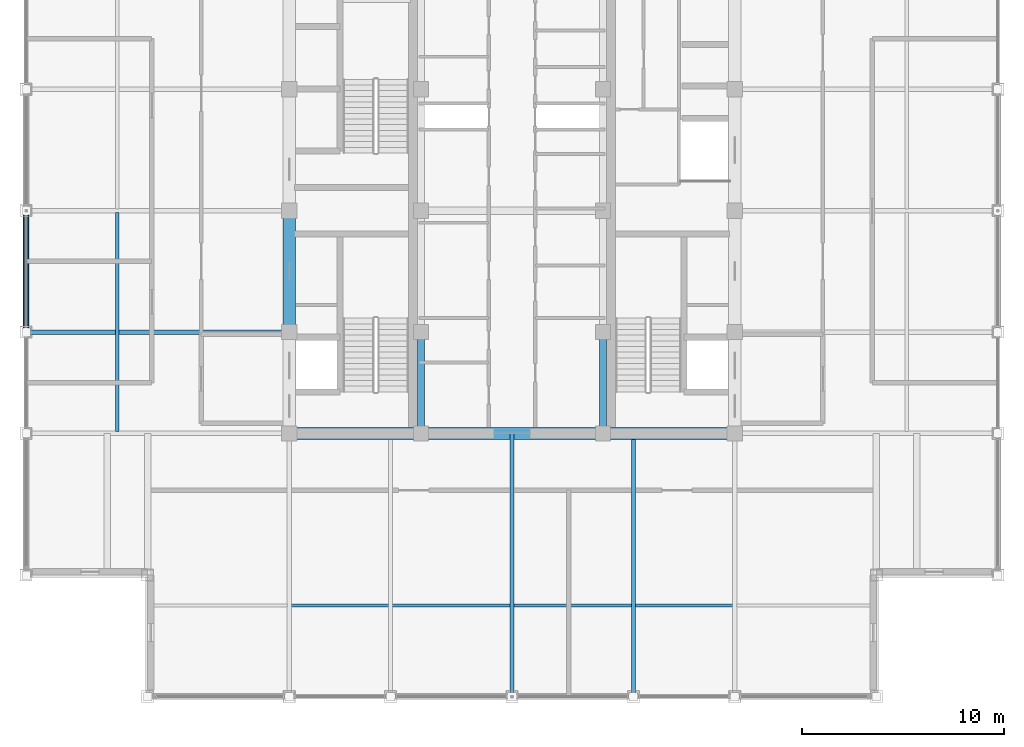
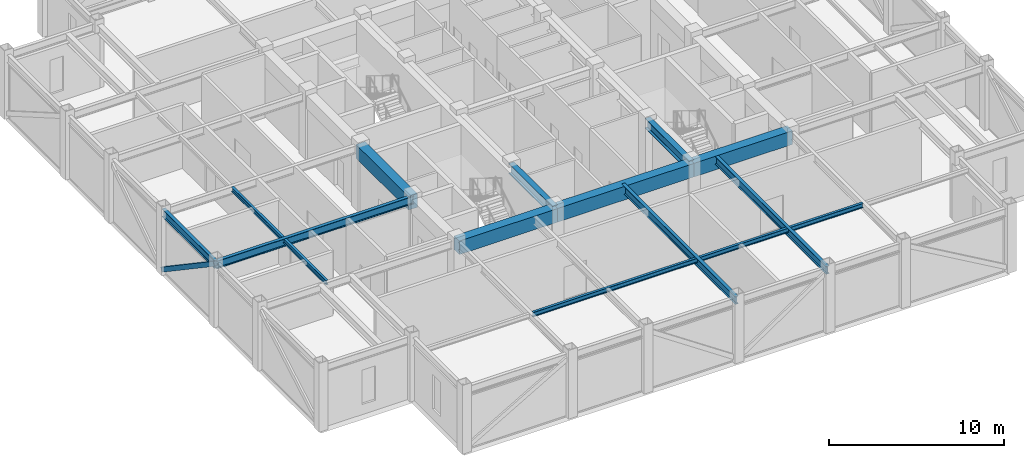
# One storey, part 5 of 27: 12 beams, 1 member.
"""IFC4 building model written with IfcOpenShell, lengths in metres."""

from ifc_helpers import new_model, si_unit, direction, frame, origin, origin_2d, place, context, subcontext, project, spatial, rectangle, hollow_rectangle, i_section, extrude, source, transform, mapped, material, material_profile, profile_set, type_object, element, save


model = new_model("IFC4")

# Units and contexts
model_context = context("Model", 3, precision=1e-05, world=origin(), true_north=direction((0.0, 1.0)))
body_context = subcontext(model_context, "Body", "Model", "MODEL_VIEW")
ifc_project = project(units=[si_unit("LENGTHUNIT", "METRE"), si_unit("AREAUNIT", "SQUARE_METRE"), si_unit("VOLUMEUNIT", "CUBIC_METRE"), si_unit("PLANEANGLEUNIT", "RADIAN"), si_unit("MASSUNIT", "GRAM", prefix="KILO")], contexts=[model_context])

# Site, building, storey
site_placement = place(None, origin())
site = spatial("IfcSite", under=ifc_project, at=site_placement, CompositionType="ELEMENT")
building_placement = place(site_placement, origin())
building = spatial("IfcBuilding", under=site, at=building_placement, Name="Khorayat Bourse Tower", CompositionType="ELEMENT")
storey_placement = place(building_placement, frame((0.0, 0.0, 394.699951171875)))
storey = spatial("IfcBuildingStorey", under=building, at=storey_placement, Name="L93", CompositionType="ELEMENT", Elevation=394.699951171875)

# Beams
ifc_material_1 = material(Name="Steel ASTM A992 Grade 50", Category="steel")
ifc_material_profile_1 = material_profile(ifc_material_1, i_section(OverallWidth=0.35498046875, OverallDepth=0.695068359375, WebThickness=0.015380859375, FlangeThickness=0.02490234375, FilletRadius=0.01806640625, at=origin_2d()), Name="W690X217")
ifc_profile_set_1 = profile_set([ifc_material_profile_1], Name="Steel ASTM A992 Grade 50")
beam_type_1 = type_object("IfcBeamType", Name="BM-GIRD-690", PredefinedType="BEAM", material=ifc_profile_set_1)
shared_shape_1 = source(origin(), body_context, "Body", "SweptSolid", [
    extrude(i_section(OverallWidth=0.35498046875, OverallDepth=0.695068359375, WebThickness=0.015380859375, FlangeThickness=0.02490234375, FilletRadius=0.01806640625, at=origin_2d()), origin(), (0.0, 0.0, 1.0), 5.0),
])
for number, where, z_axis, x_axis, name in (
    (1, (-4.5, -11.0, 4.1025390625), (0.0, 1.0, 0.0), (-1.0, 0.0, 0.0), "L93 BM-GIRD-690 BM-L93-CRX-05"),
    (2, (4.5, -11.0, 4.1025390625), (0.0, 1.0, 0.0), (-1.0, 0.0, 0.0), "L93 BM-GIRD-690 BM-L93-CRX-09"),
):
    element("IfcBeam", number, at=place(storey_placement, frame(where, z_axis=z_axis, x_axis=x_axis)), inside=storey, type_object=beam_type_1, Name=name, PredefinedType="BEAM", context=body_context, shape_type="MappedRepresentation", body=[
        mapped(shared_shape_1, transform((0.0, 0.0, 0.0), scale=1.0)),
    ])
ifc_material_2 = material(Name="Concrete C60/75", Category="concrete")
ifc_material_profile_2 = material_profile(ifc_material_2, rectangle(XDim=0.60009765625, YDim=0.949951171875, at=origin_2d()), Name="RC 600x950")
ifc_profile_set_2 = profile_set([ifc_material_profile_2], Name="Concrete C60/75")
beam_type_2 = type_object("IfcBeamType", Name="BM-COUP-950", PredefinedType="BEAM", material=ifc_profile_set_2)
shared_shape_2 = source(origin(), body_context, "Body", "SweptSolid", [
    extrude(rectangle(XDim=0.60009765625, YDim=0.949951171875, at=origin_2d()), origin(), (0.0, 0.0, 1.0), 6.0),
])
beam_1_placement = place(storey_placement, frame((-11.0, -6.0, 3.97509765625), z_axis=(0.0, 1.0, 0.0), x_axis=(-1.0, 0.0, 0.0)))
element("IfcBeam", 3, at=beam_1_placement, inside=storey, type_object=beam_type_2, Name="L93 BM-COUP-950 BM-L93-CRX-02", PredefinedType="BEAM", context=body_context, shape_type="MappedRepresentation", body=[
    mapped(shared_shape_2, transform((0.0, 0.0, 0.0), scale=1.0)),
])
shared_shape_3 = source(origin(), body_context, "Body", "SweptSolid", [
    extrude(rectangle(XDim=0.60009765625, YDim=0.949951171875, at=origin_2d()), origin(), (0.0, 0.0, 1.0), 6.5),
])
for number, where, z_axis, x_axis, name in (
    (4, (-11.0, -11.0, 3.97509765625), (1.0, 0.0, 0.0), (0.0, 1.0, 0.0), "L93 BM-COUP-950 BM-L93-CRY-17"),
    (5, (4.5, -11.0, 3.97509765625), (1.0, 0.0, 0.0), (0.0, 1.0, 0.0), "L93 BM-COUP-950 BM-L93-CRY-19"),
):
    element("IfcBeam", number, at=place(storey_placement, frame(where, z_axis=z_axis, x_axis=x_axis)), inside=storey, type_object=beam_type_2, Name=name, PredefinedType="BEAM", context=body_context, shape_type="MappedRepresentation", body=[
        mapped(shared_shape_3, transform((0.0, 0.0, 0.0), scale=1.0)),
    ])
shared_shape_4 = source(origin(), body_context, "Body", "SweptSolid", [
    extrude(rectangle(XDim=0.60009765625, YDim=0.949951171875, at=origin_2d()), origin(), (0.0, 0.0, 1.0), 9.0),
])
beam_2_placement = place(storey_placement, frame((-4.5, -11.0, 3.97509765625), z_axis=(1.0, 0.0, 0.0), x_axis=(0.0, 1.0, 0.0)))
element("IfcBeam", 6, at=beam_2_placement, inside=storey, type_object=beam_type_2, Name="L93 BM-COUP-950 BM-L93-CRY-18", PredefinedType="BEAM", context=body_context, shape_type="MappedRepresentation", body=[
    mapped(shared_shape_4, transform((0.0, 0.0, 0.0), scale=1.0)),
])
ifc_material_profile_3 = material_profile(ifc_material_1, i_section(OverallWidth=0.214111328125, OverallDepth=0.549072265625, WebThickness=0.0146484375, FlangeThickness=0.023681640625, FilletRadius=0.013916015625, at=origin_2d()), Name="W530X138")
ifc_profile_set_3 = profile_set([ifc_material_profile_3], Name="Steel ASTM A992 Grade 50")
beam_type_3 = type_object("IfcBeamType", Name="BM-SPAN-530", PredefinedType="SPANDREL", material=ifc_profile_set_3)
shared_shape_5 = source(origin(), body_context, "Body", "SweptSolid", [
    extrude(i_section(OverallWidth=0.214111328125, OverallDepth=0.549072265625, WebThickness=0.0146484375, FlangeThickness=0.023681640625, FilletRadius=0.013916015625, at=origin_2d()), origin(), (0.0, 0.0, 1.0), 6.0),
])
beam_3_placement = place(storey_placement, frame((-24.0, -6.0, 4.175537109375), z_axis=(0.0, 1.0, 0.0), x_axis=(-1.0, 0.0, 0.0)))
element("IfcBeam", 7, at=beam_3_placement, inside=storey, type_object=beam_type_3, Name="L93 BM-SPAN-530 BM-L93-SPN-051", PredefinedType="SPANDREL", context=body_context, shape_type="MappedRepresentation", body=[
    mapped(shared_shape_5, transform((0.0, 0.0, 0.0), scale=1.0)),
])
ifc_material_profile_4 = material_profile(ifc_material_1, i_section(OverallWidth=0.214111328125, OverallDepth=0.549072265625, WebThickness=0.0146484375, FlangeThickness=0.023681640625, FilletRadius=0.013916015625, at=origin_2d()), Name="W530X138")
ifc_profile_set_4 = profile_set([ifc_material_profile_4], Name="Steel ASTM A992 Grade 50")
beam_type_4 = type_object("IfcBeamType", Name="BM-GIRD-530", PredefinedType="BEAM", material=ifc_profile_set_4)
shared_shape_6 = source(origin(), body_context, "Body", "SweptSolid", [
    extrude(i_section(OverallWidth=0.214111328125, OverallDepth=0.549072265625, WebThickness=0.0146484375, FlangeThickness=0.023681640625, FilletRadius=0.013916015625, at=origin_2d()), origin(), (0.0, 0.0, 1.0), 13.0),
])
for number, where, z_axis, x_axis, name in (
    (8, (0.0, -24.0, 4.175537109375), (0.0, 1.0, 0.0), (-1.0, 0.0, 0.0), "L93 BM-GIRD-530 BM-L93-RADY-061"),
    (9, (6.0, -24.0, 4.175537109375), (0.0, 1.0, 0.0), (-1.0, 0.0, 0.0), "L93 BM-GIRD-530 BM-L93-RADY-063"),
    (10, (-24.0, -6.0, 4.175537109375), (1.0, 0.0, 0.0), (0.0, 1.0, 0.0), "L93 BM-GIRD-530 BM-L93-RADX-069"),
):
    element("IfcBeam", number, at=place(storey_placement, frame(where, z_axis=z_axis, x_axis=x_axis)), inside=storey, type_object=beam_type_4, Name=name, PredefinedType="BEAM", context=body_context, shape_type="MappedRepresentation", body=[
        mapped(shared_shape_6, transform((0.0, 0.0, 0.0), scale=1.0)),
    ])
ifc_material_profile_5 = material_profile(ifc_material_1, i_section(OverallWidth=0.1669921875, OverallDepth=0.31689453125, WebThickness=0.007568359375, FlangeThickness=0.01318359375, FilletRadius=0.010009765625, at=origin_2d()), Name="W310X52")
ifc_profile_set_5 = profile_set([ifc_material_profile_5], Name="Steel ASTM A992 Grade 50")
beam_type_5 = type_object("IfcBeamType", Name="BM-JOIST-310", PredefinedType="JOIST", material=ifc_profile_set_5)
shared_shape_7 = source(origin(), body_context, "Body", "SweptSolid", [
    extrude(i_section(OverallWidth=0.1669921875, OverallDepth=0.31689453125, WebThickness=0.007568359375, FlangeThickness=0.01318359375, FilletRadius=0.010009765625, at=origin_2d()), origin(), (0.0, 0.0, 1.0), 21.81005859375),
])
beam_4_placement = place(storey_placement, frame((-10.905029296875, -19.5, 4.29150390625), z_axis=(1.0, 0.0, 0.0), x_axis=(0.0, 1.0, 0.0)))
element("IfcBeam", 11, at=beam_4_placement, inside=storey, type_object=beam_type_5, Name="L93 BM-JOIST-310 BM-L93-JSTX-085", PredefinedType="JOIST", context=body_context, shape_type="MappedRepresentation", body=[
    mapped(shared_shape_7, transform((0.0, 0.0, 0.0), scale=1.0)),
])
shared_shape_8 = source(origin(), body_context, "Body", "SweptSolid", [
    extrude(i_section(OverallWidth=0.1669921875, OverallDepth=0.31689453125, WebThickness=0.007568359375, FlangeThickness=0.01318359375, FilletRadius=0.010009765625, at=origin_2d()), origin(), (0.0, 0.0, 1.0), 10.81005859375),
])
beam_5_placement = place(storey_placement, frame((-19.5, -10.905029296875, 4.29150390625), z_axis=(0.0, 1.0, 0.0), x_axis=(-1.0, 0.0, 0.0)))
element("IfcBeam", 12, at=beam_5_placement, inside=storey, type_object=beam_type_5, Name="L93 BM-JOIST-310 BM-L93-JSTY-090", PredefinedType="JOIST", context=body_context, shape_type="MappedRepresentation", body=[
    mapped(shared_shape_8, transform((0.0, 0.0, 0.0), scale=1.0)),
])

# Member
ifc_material_3 = material(Name="Steel EN 10025-2 S355J2", Category="steel")
ifc_material_profile_6 = material_profile(ifc_material_3, hollow_rectangle(XDim=0.300048828125, YDim=0.300048828125, WallThickness=0.01611328125, at=origin_2d()), Name="HSS 300x300x16")
ifc_profile_set_6 = profile_set([ifc_material_profile_6], Name="Steel EN 10025-2 S355J2")
member_type = type_object("IfcMemberType", Name="MBR-CROWN-300", PredefinedType="USERDEFINED", material=ifc_profile_set_6)
shared_shape_9 = source(origin(), body_context, "Body", "SweptSolid", [
    extrude(hollow_rectangle(XDim=0.300048828125, YDim=0.300048828125, WallThickness=0.01611328125, at=origin_2d()), origin(), (0.0, 0.0, 1.0), 7.239013671875),
])
member_placement = place(storey_placement, frame((-24.0, -6.0, 4.25), z_axis=(0.0, 0.828845546207, -0.559477488852), x_axis=(-1.0, 0.0, 0.0)))
element("IfcMember", 13, at=member_placement, inside=storey, type_object=member_type, Name="L93 Lantern Crown Frame Member 10", ObjectType="CROWN FRAME", PredefinedType="USERDEFINED", context=body_context, shape_type="MappedRepresentation", body=[
    mapped(shared_shape_9, transform((0.0, 0.0, 0.0), scale=1.0)),
])

save(model, "model.ifc")
